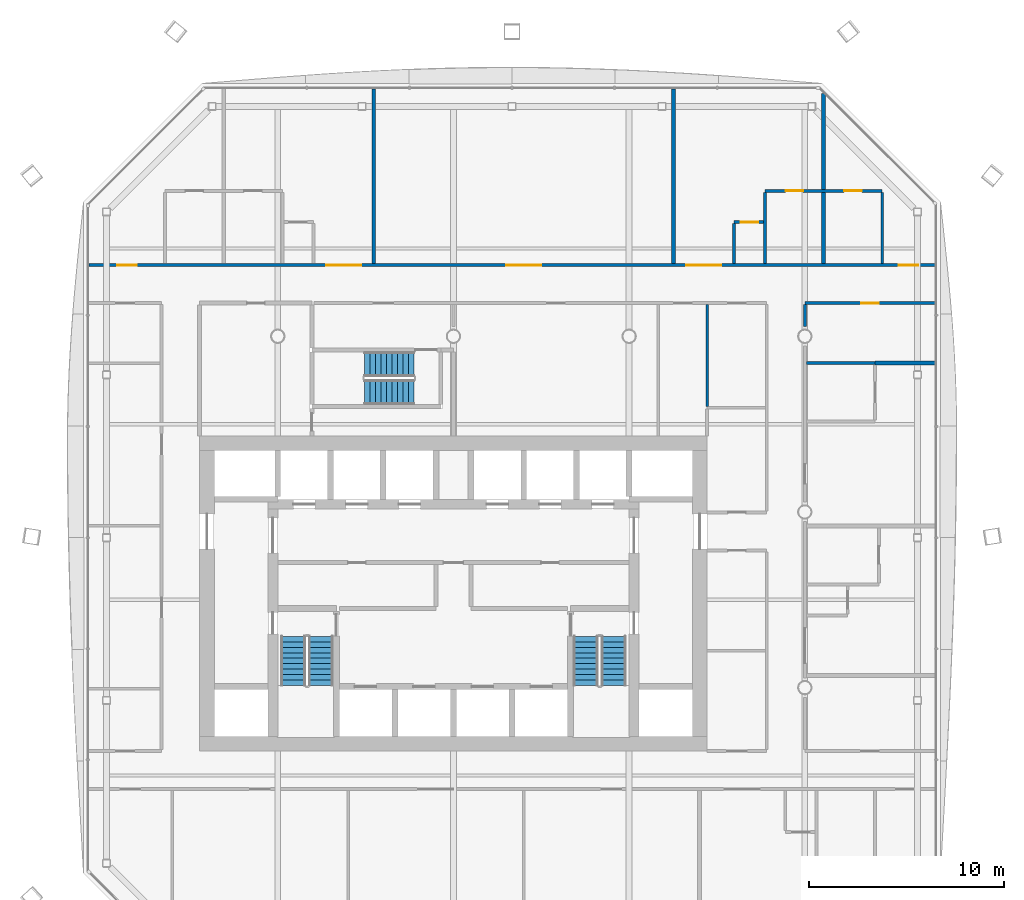
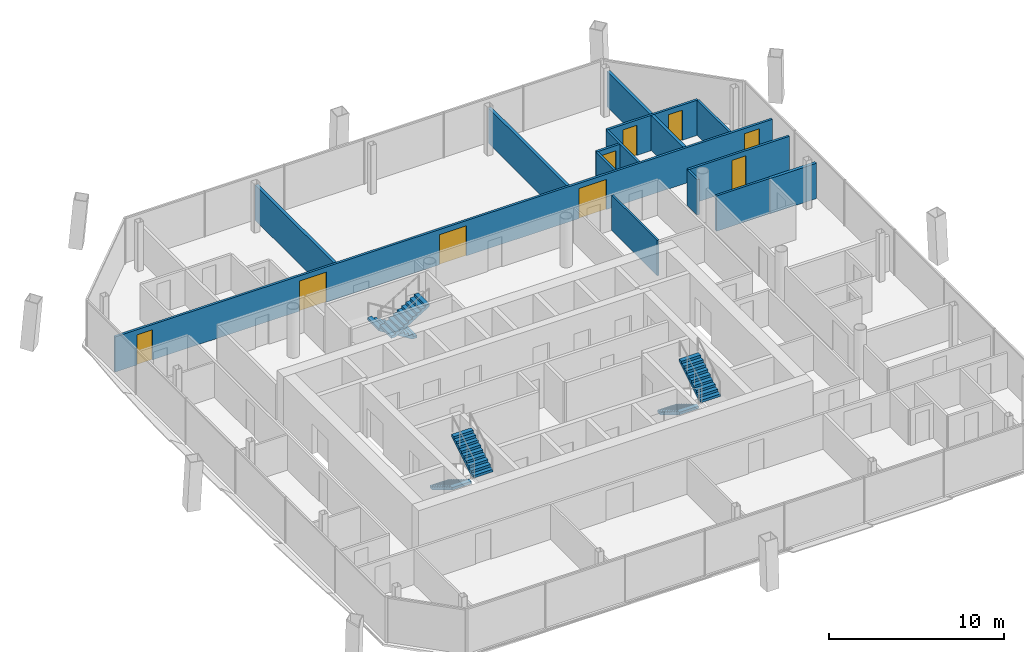
# One storey, part 15 of 18: 14 walls, 9 doors, 6 stair flights, 9 openings, 3 elements without a shape of their own.
"""IFC4 building model written with IfcOpenShell, lengths in metres."""

from ifc_helpers import new_model, si_unit, direction, frame, frame_2d, origin, place, context, subcontext, project, spatial, polyline, rectangle, outline, extrude, material, layer, layer_set, type_object, element, fill, aggregate, save


model = new_model("IFC4")

# Units and contexts
model_context = context("Model", 3, precision=1e-05, world=origin(), true_north=direction((0.0, 1.0)))
body_context = subcontext(model_context, "Body", "Model", "MODEL_VIEW")
ifc_project = project(units=[si_unit("LENGTHUNIT", "METRE"), si_unit("AREAUNIT", "SQUARE_METRE"), si_unit("VOLUMEUNIT", "CUBIC_METRE"), si_unit("PLANEANGLEUNIT", "RADIAN"), si_unit("MASSUNIT", "GRAM", prefix="KILO")], contexts=[model_context])

# Site, building, storey
site_placement = place(None, origin())
site = spatial("IfcSite", under=ifc_project, at=site_placement, CompositionType="ELEMENT")
building_placement = place(site_placement, origin())
building = spatial("IfcBuilding", under=site, at=building_placement, Name="Tskaro Facet Tower", CompositionType="ELEMENT")
storey_placement = place(building_placement, frame((0.0, 0.0, 155.5)))
storey = spatial("IfcBuildingStorey", under=building, at=storey_placement, Name="L38", CompositionType="ELEMENT", Elevation=155.5)

# Walls
ifc_material_1 = material(Name="Gypsum board on steel studs", Category="steel")
ifc_layer_1 = layer(ifc_material_1, 0.125, Name="Gypsum board on steel studs")
ifc_layer_set_1 = layer_set([ifc_layer_1], Name="Gypsum board on steel studs")
wall_type_1 = type_object("IfcWallType", Name="PART", PredefinedType="PARTITIONING", material=ifc_layer_set_1)
wall_1_placement = place(storey_placement, frame((13.0, 5.412109375, 0.0), z_axis=(0.0, 0.0, 1.0), x_axis=(0.0, 1.0, 0.0)))
element("IfcWall", 1, at=wall_1_placement, inside=storey, type_object=wall_type_1, Name="Partition W078", PredefinedType="PARTITIONING", context=body_context, shape_type="SweptSolid", body=[
    extrude(rectangle(XDim=5.212890625, YDim=0.125, at=frame_2d((2.6064453125, 0.0))), origin(), (0.0, 0.0, 1.0), 2.4599609375),
])
ifc_layer_2 = layer(ifc_material_1, 0.14990234375, Name="Gypsum board on steel studs")
ifc_layer_set_2 = layer_set([ifc_layer_2], Name="Gypsum board on steel studs")
wall_type_2 = type_object("IfcWallType", Name="PART-CORR", PredefinedType="PARTITIONING", material=ifc_layer_set_2)
wall_2_placement = place(storey_placement, frame((18.074951171875, 7.6259765625, 0.0), z_axis=(0.0, 0.0, 1.0), x_axis=(1.0, 0.0, 0.0)))
element("IfcWall", 2, at=wall_2_placement, inside=storey, type_object=wall_type_2, Name="Corridor wall W030", PredefinedType="PARTITIONING", context=body_context, shape_type="SweptSolid", body=[
    extrude(rectangle(XDim=3.525146484375, YDim=0.14990234375, at=frame_2d((1.7626953125, 0.0))), origin(), (0.0, 0.0, 1.0), 2.4599609375),
])

# Wall, opening, door
wall_3_placement = place(storey_placement, frame((24.674072265625, 10.699951171875, 0.0), z_axis=(0.0, 0.0, 1.0), x_axis=(-1.0, 0.0, 0.0)))
wall_3 = element("IfcWall", 3, at=wall_3_placement, inside=storey, type_object=wall_type_2, Name="Corridor wall W037", PredefinedType="PARTITIONING", context=body_context, shape_type="SweptSolid", body=[
    extrude(rectangle(XDim=6.674072265625, YDim=0.14990234375, at=frame_2d((3.3369140625, 0.0))), origin(), (0.0, 0.0, 1.0), 2.4599609375),
])
opening_1_placement = place(wall_3_placement, frame((2.886962890625, 0.0, 0.0)))
opening_1 = element("IfcOpeningElement", 4, at=opening_1_placement, cuts=wall_3, Name="Opening T11-D38", PredefinedType="OPENING", context=body_context, shape_type="SweptSolid", body=[
    extrude(rectangle(XDim=0.89990234375, YDim=2.10009765625, at=frame_2d((0.449951171875, 1.050048828125))), frame((0.0, 0.0849609375, 0.0), z_axis=(0.0, -1.0, 0.0), x_axis=(1.0, 0.0, 0.0)), (0.0, 0.0, 1.0), 0.169921875),
])
ifc_material_2 = material(Name="Timber", Category="wood")
door_type_1 = type_object("IfcDoorType", Name="D-ROOM", OperationType="NOTDEFINED", PredefinedType="DOOR", material=ifc_material_2)
door_1_placement = place(opening_1_placement, origin())
door_1 = element("IfcDoor", 5, at=door_1_placement, inside=storey, type_object=door_type_1, Name="Door T11-D38", OperationType="SINGLE_SWING_RIGHT", OverallHeight=2.10009765625, OverallWidth=0.89990234375, PredefinedType="DOOR", context=body_context, shape_type="SweptSolid", body=[
    extrude(rectangle(XDim=0.89990234375, YDim=2.10009765625, at=frame_2d((0.449951171875, 1.050048828125))), frame((0.0, 0.02490234375, 0.0), z_axis=(0.0, -1.0, 0.0), x_axis=(1.0, 0.0, 0.0)), (0.0, 0.0, 1.0), 0.050048828125),
])
fill(opening_1, door_1)

# Wall, openings, doors
wall_4_placement = place(storey_placement, frame((-18.674072265625, 12.64990234375, 0.0), z_axis=(0.0, 0.0, 1.0), x_axis=(1.0, 0.0, 0.0)))
wall_4 = element("IfcWall", 6, at=wall_4_placement, inside=storey, type_object=wall_type_2, Name="Corridor wall W038", PredefinedType="PARTITIONING", context=body_context, shape_type="SweptSolid", body=[
    extrude(rectangle(XDim=43.34814453125, YDim=0.14990234375, at=frame_2d((21.674072265625, 0.0))), origin(), (0.0, 0.0, 1.0), 2.4599609375),
])
opening_2_placement = place(wall_4_placement, frame((1.452880859375, 0.0, 0.0)))
opening_2 = element("IfcOpeningElement", 7, at=opening_2_placement, cuts=wall_4, Name="Opening T11-D39", PredefinedType="OPENING", context=body_context, shape_type="SweptSolid", body=[
    extrude(rectangle(XDim=1.0, YDim=2.10009765625, at=frame_2d((0.5, 1.050048828125))), frame((0.0, 0.0849609375, 0.0), z_axis=(0.0, -1.0, 0.0), x_axis=(1.0, 0.0, 0.0)), (0.0, 0.0, 1.0), 0.169921875),
])
opening_3_placement = place(wall_4_placement, frame((12.14794921875, 0.0, 0.0)))
opening_3 = element("IfcOpeningElement", 8, at=opening_3_placement, cuts=wall_4, Name="Opening T11-D40", PredefinedType="OPENING", context=body_context, shape_type="SweptSolid", body=[
    extrude(rectangle(XDim=1.800048828125, YDim=2.10009765625, at=frame_2d((0.89990234375, 1.050048828125))), frame((0.0, 0.0849609375, 0.0), z_axis=(0.0, -1.0, 0.0), x_axis=(1.0, 0.0, 0.0)), (0.0, 0.0, 1.0), 0.169921875),
])
opening_4_placement = place(wall_4_placement, frame((21.3740234375, 0.0, 0.0)))
opening_4 = element("IfcOpeningElement", 9, at=opening_4_placement, cuts=wall_4, Name="Opening T11-D41", PredefinedType="OPENING", context=body_context, shape_type="SweptSolid", body=[
    extrude(rectangle(XDim=1.800048828125, YDim=2.10009765625, at=frame_2d((0.89990234375, 1.050048828125))), frame((0.0, 0.0849609375, 0.0), z_axis=(0.0, -1.0, 0.0), x_axis=(1.0, 0.0, 0.0)), (0.0, 0.0, 1.0), 0.169921875),
])
opening_5_placement = place(wall_4_placement, frame((30.60009765625, 0.0, 0.0)))
opening_5 = element("IfcOpeningElement", 10, at=opening_5_placement, cuts=wall_4, Name="Opening T11-D42", PredefinedType="OPENING", context=body_context, shape_type="SweptSolid", body=[
    extrude(rectangle(XDim=1.800048828125, YDim=2.10009765625, at=frame_2d((0.89990234375, 1.050048828125))), frame((0.0, 0.0849609375, 0.0), z_axis=(0.0, -1.0, 0.0), x_axis=(1.0, 0.0, 0.0)), (0.0, 0.0, 1.0), 0.169921875),
])
opening_6_placement = place(wall_4_placement, frame((41.4951171875, 0.0, 0.0)))
opening_6 = element("IfcOpeningElement", 11, at=opening_6_placement, cuts=wall_4, Name="Opening T11-D43", PredefinedType="OPENING", context=body_context, shape_type="SweptSolid", body=[
    extrude(rectangle(XDim=1.0, YDim=2.10009765625, at=frame_2d((0.5, 1.050048828125))), frame((0.0, 0.0849609375, 0.0), z_axis=(0.0, -1.0, 0.0), x_axis=(1.0, 0.0, 0.0)), (0.0, 0.0, 1.0), 0.169921875),
])
door_type_2 = type_object("IfcDoorType", Name="D-ENTRY", OperationType="NOTDEFINED", PredefinedType="DOOR", material=ifc_material_2)
door_2_placement = place(opening_2_placement, origin())
door_2 = element("IfcDoor", 12, at=door_2_placement, inside=storey, type_object=door_type_2, Name="Door T11-D39", OperationType="SINGLE_SWING_RIGHT", OverallHeight=2.10009765625, OverallWidth=1.0, PredefinedType="DOOR", context=body_context, shape_type="SweptSolid", body=[
    extrude(rectangle(XDim=1.0, YDim=2.10009765625, at=frame_2d((0.5, 1.050048828125))), frame((0.0, 0.02490234375, 0.0), z_axis=(0.0, -1.0, 0.0), x_axis=(1.0, 0.0, 0.0)), (0.0, 0.0, 1.0), 0.050048828125),
])
fill(opening_2, door_2)
door_3_placement = place(opening_6_placement, origin())
door_3 = element("IfcDoor", 13, at=door_3_placement, inside=storey, type_object=door_type_2, Name="Door T11-D43", OperationType="SINGLE_SWING_RIGHT", OverallHeight=2.10009765625, OverallWidth=1.0, PredefinedType="DOOR", context=body_context, shape_type="SweptSolid", body=[
    extrude(rectangle(XDim=1.0, YDim=2.10009765625, at=frame_2d((0.5, 1.050048828125))), frame((0.0, 0.02490234375, 0.0), z_axis=(0.0, -1.0, 0.0), x_axis=(1.0, 0.0, 0.0)), (0.0, 0.0, 1.0), 0.050048828125),
])
fill(opening_6, door_3)
ifc_material_3 = material(Name="Glass", Category="glass")
door_type_3 = type_object("IfcDoorType", Name="D-ENTRY-PAIR", OperationType="NOTDEFINED", PredefinedType="DOOR", material=ifc_material_3)
door_4_placement = place(opening_4_placement, origin())
door_4 = element("IfcDoor", 14, at=door_4_placement, inside=storey, type_object=door_type_3, Name="Door T11-D41", OperationType="DOUBLE_DOOR_SINGLE_SWING", OverallHeight=2.10009765625, OverallWidth=1.800048828125, PredefinedType="DOOR", context=body_context, shape_type="SweptSolid", body=[
    extrude(rectangle(XDim=1.800048828125, YDim=2.10009765625, at=frame_2d((0.89990234375, 1.050048828125))), frame((0.0, 0.02490234375, 0.0), z_axis=(0.0, -1.0, 0.0), x_axis=(1.0, 0.0, 0.0)), (0.0, 0.0, 1.0), 0.050048828125),
])
fill(opening_4, door_4)
door_type_4 = type_object("IfcDoorType", Name="D-SUITE-PAIR", OperationType="NOTDEFINED", PredefinedType="DOOR", material=ifc_material_2)
door_5_placement = place(opening_3_placement, origin())
door_5 = element("IfcDoor", 15, at=door_5_placement, inside=storey, type_object=door_type_4, Name="Door T11-D40", OperationType="DOUBLE_DOOR_SINGLE_SWING", OverallHeight=2.10009765625, OverallWidth=1.800048828125, PredefinedType="DOOR", context=body_context, shape_type="SweptSolid", body=[
    extrude(rectangle(XDim=1.800048828125, YDim=2.10009765625, at=frame_2d((0.89990234375, 1.050048828125))), frame((0.0, 0.02490234375, 0.0), z_axis=(0.0, -1.0, 0.0), x_axis=(1.0, 0.0, 0.0)), (0.0, 0.0, 1.0), 0.050048828125),
])
fill(opening_3, door_5)
door_6_placement = place(opening_5_placement, origin())
door_6 = element("IfcDoor", 16, at=door_6_placement, inside=storey, type_object=door_type_4, Name="Door T11-D42", OperationType="DOUBLE_DOOR_SINGLE_SWING", OverallHeight=2.10009765625, OverallWidth=1.800048828125, PredefinedType="DOOR", context=body_context, shape_type="SweptSolid", body=[
    extrude(rectangle(XDim=1.800048828125, YDim=2.10009765625, at=frame_2d((0.89990234375, 1.050048828125))), frame((0.0, 0.02490234375, 0.0), z_axis=(0.0, -1.0, 0.0), x_axis=(1.0, 0.0, 0.0)), (0.0, 0.0, 1.0), 0.050048828125),
])
fill(opening_5, door_6)

# Wall, opening, door
wall_5_placement = place(storey_placement, frame((15.89306640625, 14.85009765625, 0.0), z_axis=(0.0, 0.0, 1.0), x_axis=(-1.0, 0.0, 0.0)))
wall_5 = element("IfcWall", 17, at=wall_5_placement, inside=storey, type_object=wall_type_2, Name="Corridor wall W040", PredefinedType="PARTITIONING", context=body_context, shape_type="SweptSolid", body=[
    extrude(rectangle(XDim=1.525146484375, YDim=0.14990234375, at=frame_2d((0.7626953125, 0.0))), origin(), (0.0, 0.0, 1.0), 2.4599609375),
])
opening_7_placement = place(wall_5_placement, frame((0.27490234375, 0.0, 0.0)))
opening_7 = element("IfcOpeningElement", 18, at=opening_7_placement, cuts=wall_5, Name="Opening T11-D45", PredefinedType="OPENING", context=body_context, shape_type="SweptSolid", body=[
    extrude(rectangle(XDim=0.89990234375, YDim=2.10009765625, at=frame_2d((0.449951171875, 1.050048828125))), frame((0.0, 0.0849609375, 0.0), z_axis=(0.0, -1.0, 0.0), x_axis=(1.0, 0.0, 0.0)), (0.0, 0.0, 1.0), 0.169921875),
])
door_7_placement = place(opening_7_placement, origin())
door_7 = element("IfcDoor", 19, at=door_7_placement, inside=storey, type_object=door_type_1, Name="Door T11-D45", OperationType="SINGLE_SWING_RIGHT", OverallHeight=2.10009765625, OverallWidth=0.89990234375, PredefinedType="DOOR", context=body_context, shape_type="SweptSolid", body=[
    extrude(rectangle(XDim=0.89990234375, YDim=2.10009765625, at=frame_2d((0.449951171875, 1.050048828125))), frame((0.0, 0.02490234375, 0.0), z_axis=(0.0, -1.0, 0.0), x_axis=(1.0, 0.0, 0.0)), (0.0, 0.0, 1.0), 0.050048828125),
])
fill(opening_7, door_7)

# Wall, openings, doors
wall_6_placement = place(storey_placement, frame((21.968017578125, 16.449951171875, 0.0), z_axis=(0.0, 0.0, 1.0), x_axis=(-1.0, 0.0, 0.0)))
wall_6 = element("IfcWall", 20, at=wall_6_placement, inside=storey, type_object=wall_type_2, Name="Corridor wall W042", PredefinedType="PARTITIONING", context=body_context, shape_type="SweptSolid", body=[
    extrude(rectangle(XDim=6.0, YDim=0.14990234375, at=frame_2d((3.0, 0.0))), origin(), (0.0, 0.0, 1.0), 2.4599609375),
])
opening_8_placement = place(wall_6_placement, frame((4.050048828125, 0.0, 0.0)))
opening_8 = element("IfcOpeningElement", 21, at=opening_8_placement, cuts=wall_6, Name="Opening T11-D48", PredefinedType="OPENING", context=body_context, shape_type="SweptSolid", body=[
    extrude(rectangle(XDim=0.89990234375, YDim=2.10009765625, at=frame_2d((0.449951171875, 1.050048828125))), frame((0.0, 0.0849609375, 0.0), z_axis=(0.0, -1.0, 0.0), x_axis=(1.0, 0.0, 0.0)), (0.0, 0.0, 1.0), 0.169921875),
])
opening_9_placement = place(wall_6_placement, frame((1.050048828125, 0.0, 0.0)))
opening_9 = element("IfcOpeningElement", 22, at=opening_9_placement, cuts=wall_6, Name="Opening T11-D49", PredefinedType="OPENING", context=body_context, shape_type="SweptSolid", body=[
    extrude(rectangle(XDim=0.89990234375, YDim=2.10009765625, at=frame_2d((0.449951171875, 1.050048828125))), frame((0.0, 0.0849609375, 0.0), z_axis=(0.0, -1.0, 0.0), x_axis=(1.0, 0.0, 0.0)), (0.0, 0.0, 1.0), 0.169921875),
])
door_8_placement = place(opening_8_placement, origin())
door_8 = element("IfcDoor", 23, at=door_8_placement, inside=storey, type_object=door_type_1, Name="Door T11-D48", OperationType="SINGLE_SWING_RIGHT", OverallHeight=2.10009765625, OverallWidth=0.89990234375, PredefinedType="DOOR", context=body_context, shape_type="SweptSolid", body=[
    extrude(rectangle(XDim=0.89990234375, YDim=2.10009765625, at=frame_2d((0.449951171875, 1.050048828125))), frame((0.0, 0.02490234375, 0.0), z_axis=(0.0, -1.0, 0.0), x_axis=(1.0, 0.0, 0.0)), (0.0, 0.0, 1.0), 0.050048828125),
])
fill(opening_8, door_8)
door_9_placement = place(opening_9_placement, origin())
door_9 = element("IfcDoor", 24, at=door_9_placement, inside=storey, type_object=door_type_1, Name="Door T11-D49", OperationType="SINGLE_SWING_RIGHT", OverallHeight=2.10009765625, OverallWidth=0.89990234375, PredefinedType="DOOR", context=body_context, shape_type="SweptSolid", body=[
    extrude(rectangle(XDim=0.89990234375, YDim=2.10009765625, at=frame_2d((0.449951171875, 1.050048828125))), frame((0.0, 0.02490234375, 0.0), z_axis=(0.0, -1.0, 0.0), x_axis=(1.0, 0.0, 0.0)), (0.0, 0.0, 1.0), 0.050048828125),
])
fill(opening_9, door_9)

# Walls
wall_7_placement = place(storey_placement, frame((14.367919921875, 12.72509765625, 0.0), z_axis=(0.0, 0.0, 1.0), x_axis=(0.0, 1.0, 0.0)))
element("IfcWall", 25, at=wall_7_placement, inside=storey, type_object=wall_type_2, Name="Corridor wall W079", PredefinedType="PARTITIONING", context=body_context, shape_type="SweptSolid", body=[
    extrude(rectangle(XDim=2.0498046875, YDim=0.14990234375, at=frame_2d((1.02490234375, 0.0))), origin(), (0.0, 0.0, 1.0), 2.4599609375),
])
wall_8_placement = place(storey_placement, frame((15.968017578125, 12.72509765625, 0.0), z_axis=(0.0, 0.0, 1.0), x_axis=(0.0, 1.0, 0.0)))
element("IfcWall", 26, at=wall_8_placement, inside=storey, type_object=wall_type_2, Name="Corridor wall W080", PredefinedType="PARTITIONING", context=body_context, shape_type="SweptSolid", body=[
    extrude(rectangle(XDim=3.64990234375, YDim=0.14990234375, at=frame_2d((1.824951171875, 0.0))), origin(), (0.0, 0.0, 1.0), 2.4599609375),
])
wall_9_placement = place(storey_placement, frame((18.0, 9.5, 0.0), z_axis=(0.0, 0.0, 1.0), x_axis=(0.0, 1.0, 0.0)))
element("IfcWall", 27, at=wall_9_placement, inside=storey, type_object=wall_type_2, Name="Corridor wall W087", PredefinedType="PARTITIONING", context=body_context, shape_type="SweptSolid", body=[
    extrude(rectangle(XDim=1.125, YDim=0.14990234375, at=frame_2d((0.5625, 0.0))), origin(), (0.0, 0.0, 1.0), 2.4599609375),
])
wall_10_placement = place(storey_placement, frame((21.968017578125, 12.72509765625, 0.0), z_axis=(0.0, 0.0, 1.0), x_axis=(0.0, 1.0, 0.0)))
element("IfcWall", 28, at=wall_10_placement, inside=storey, type_object=wall_type_2, Name="Corridor wall W095", PredefinedType="PARTITIONING", context=body_context, shape_type="SweptSolid", body=[
    extrude(rectangle(XDim=3.64990234375, YDim=0.14990234375, at=frame_2d((1.824951171875, 0.0))), origin(), (0.0, 0.0, 1.0), 2.4599609375),
])
ifc_layer_3 = layer(ifc_material_1, 0.199951171875, Name="Gypsum board on steel studs")
ifc_layer_set_3 = layer_set([ifc_layer_3], Name="Gypsum board on steel studs")
wall_type_3 = type_object("IfcWallType", Name="PART-DEMISING", PredefinedType="PARTITIONING", material=ifc_layer_set_3)
wall_11_placement = place(storey_placement, frame((21.60009765625, 7.6259765625, 0.0), z_axis=(0.0, 0.0, 1.0), x_axis=(1.0, 0.0, 0.0)))
element("IfcWall", 29, at=wall_11_placement, inside=storey, type_object=wall_type_3, Name="Guest room wall W031", PredefinedType="PARTITIONING", context=body_context, shape_type="SweptSolid", body=[
    extrude(rectangle(XDim=3.073974609375, YDim=0.199951171875, at=frame_2d((1.537109375, 0.0))), origin(), (0.0, 0.0, 1.0), 2.4599609375),
])
for number, where, z_axis, x_axis, name in (
    (30, (-4.083984375, 12.72509765625, 0.0), (0.0, 0.0, 1.0), (0.0, 1.0, 0.0), "Guest room wall W057"),
    (31, (11.283935546875, 12.72509765625, 0.0), (0.0, 0.0, 1.0), (0.0, 1.0, 0.0), "Guest room wall W075"),
):
    element("IfcWall", number, at=place(storey_placement, frame(where, z_axis=z_axis, x_axis=x_axis)), inside=storey, type_object=wall_type_3, Name=name, PredefinedType="PARTITIONING", context=body_context, shape_type="SweptSolid", body=[
        extrude(rectangle(XDim=8.948974609375, YDim=0.199951171875, at=frame_2d((4.474609375, 0.0))), origin(), (0.0, 0.0, 1.0), 2.4599609375),
    ])
wall_12_placement = place(storey_placement, frame((18.968017578125, 12.72509765625, 0.0), z_axis=(0.0, 0.0, 1.0), x_axis=(0.0, 1.0, 0.0)))
element("IfcWall", 32, at=wall_12_placement, inside=storey, type_object=wall_type_3, Name="Guest room wall W089", PredefinedType="PARTITIONING", context=body_context, shape_type="SweptSolid", body=[
    extrude(rectangle(XDim=8.721923828125, YDim=0.199951171875, at=frame_2d((4.36083984375, 0.0))), origin(), (0.0, 0.0, 1.0), 2.4599609375),
])

# Stair, stair flights
ifc_material_4 = material(Name="Concrete C40/50", Category="concrete")
stair_type = type_object("IfcStairType", Name="ST-TWR", PredefinedType="HALF_TURN_STAIR", material=ifc_material_4)
stair_1_placement = place(storey_placement, origin())
stair_1 = element("IfcStair", 33, at=stair_1_placement, inside=storey, type_object=stair_type, Name="L38 Exit stair 1", PredefinedType="HALF_TURN_STAIR")
stair_flight_type = type_object("IfcStairFlightType", Name="SFL-RC", PredefinedType="STRAIGHT", material=ifc_material_4)
stair_flight_1_placement = place(storey_placement, frame((-8.21240234375, -6.375, 0.0), z_axis=(0.0, 0.0, 1.0), x_axis=(0.0, -1.0, 0.0)))
stair_flight_1 = element("IfcStairFlight", 34, at=stair_flight_1_placement, type_object=stair_flight_type, Name="ST-1 flight 1", NumberOfRisers=10, NumberOfTreads=9, PredefinedType="STRAIGHT", RiserHeight=0.17, TreadLength=0.28, context=body_context, shape_type="SweptSolid", body=[
    extrude(outline(polyline([(0.0, 0.0), (0.0, 0.169921875), (0.280029296875, 0.169921875), (0.280029296875, 0.340087890625), (0.56005859375, 0.340087890625), (0.56005859375, 0.510009765625), (0.840087890625, 0.510009765625), (0.840087890625, 0.679931640625), (1.1201171875, 0.679931640625), (1.1201171875, 0.85009765625), (1.39990234375, 0.85009765625), (1.39990234375, 1.02001953125), (1.679931640625, 1.02001953125), (1.679931640625, 1.18994140625), (1.9599609375, 1.18994140625), (1.9599609375, 1.360107421875), (2.239990234375, 1.360107421875), (2.239990234375, 1.530029296875), (2.52001953125, 1.530029296875), (2.52001953125, 1.699951171875), (2.52001953125, 1.354736328125), (0.288818359375, 0.0), (0.0, 0.0)])), frame((0.0, 0.637451171875, 0.0), z_axis=(0.0, -1.0, 0.0), x_axis=(1.0, 0.0, 0.0)), (0.0, 0.0, 1.0), 1.27490234375),
])
stair_flight_2_placement = place(storey_placement, frame((-6.78759765625, -8.89501953125, 1.699951171875), z_axis=(0.0, 0.0, 1.0), x_axis=(0.0, 1.0, 0.0)))
stair_flight_2 = element("IfcStairFlight", 35, at=stair_flight_2_placement, type_object=stair_flight_type, Name="ST-1 flight 2", NumberOfRisers=10, NumberOfTreads=9, PredefinedType="STRAIGHT", RiserHeight=0.17, TreadLength=0.28, context=body_context, shape_type="SweptSolid", body=[
    extrude(outline(polyline([(0.0, 0.0), (0.0, 0.169921875), (0.280029296875, 0.169921875), (0.280029296875, 0.340087890625), (0.56005859375, 0.340087890625), (0.56005859375, 0.510009765625), (0.840087890625, 0.510009765625), (0.840087890625, 0.679931640625), (1.1201171875, 0.679931640625), (1.1201171875, 0.85009765625), (1.39990234375, 0.85009765625), (1.39990234375, 1.02001953125), (1.679931640625, 1.02001953125), (1.679931640625, 1.18994140625), (1.9599609375, 1.18994140625), (1.9599609375, 1.360107421875), (2.239990234375, 1.360107421875), (2.239990234375, 1.530029296875), (2.52001953125, 1.530029296875), (2.52001953125, 1.699951171875), (2.52001953125, 1.354736328125), (0.288818359375, 0.0), (0.0, 0.0)])), frame((0.0, 0.637451171875, 0.0), z_axis=(0.0, -1.0, 0.0), x_axis=(1.0, 0.0, 0.0)), (0.0, 0.0, 1.0), 1.27490234375),
])
aggregate(stair_1, [stair_flight_1, stair_flight_2])

stair_2_placement = place(storey_placement, origin())
stair_2 = element("IfcStair", 36, at=stair_2_placement, inside=storey, type_object=stair_type, Name="L38 Exit stair 2", PredefinedType="HALF_TURN_STAIR")
stair_flight_3_placement = place(storey_placement, frame((6.78759765625, -6.375, 0.0), z_axis=(0.0, 0.0, 1.0), x_axis=(0.0, -1.0, 0.0)))
stair_flight_3 = element("IfcStairFlight", 37, at=stair_flight_3_placement, type_object=stair_flight_type, Name="ST-2 flight 1", NumberOfRisers=10, NumberOfTreads=9, PredefinedType="STRAIGHT", RiserHeight=0.17, TreadLength=0.28, context=body_context, shape_type="SweptSolid", body=[
    extrude(outline(polyline([(0.0, 0.0), (0.0, 0.169921875), (0.280029296875, 0.169921875), (0.280029296875, 0.340087890625), (0.56005859375, 0.340087890625), (0.56005859375, 0.510009765625), (0.840087890625, 0.510009765625), (0.840087890625, 0.679931640625), (1.1201171875, 0.679931640625), (1.1201171875, 0.85009765625), (1.39990234375, 0.85009765625), (1.39990234375, 1.02001953125), (1.679931640625, 1.02001953125), (1.679931640625, 1.18994140625), (1.9599609375, 1.18994140625), (1.9599609375, 1.360107421875), (2.239990234375, 1.360107421875), (2.239990234375, 1.530029296875), (2.52001953125, 1.530029296875), (2.52001953125, 1.699951171875), (2.52001953125, 1.354736328125), (0.288818359375, 0.0), (0.0, 0.0)])), frame((0.0, 0.637451171875, 0.0), z_axis=(0.0, -1.0, 0.0), x_axis=(1.0, 0.0, 0.0)), (0.0, 0.0, 1.0), 1.27490234375),
])
stair_flight_4_placement = place(storey_placement, frame((8.21240234375, -8.89501953125, 1.699951171875), z_axis=(0.0, 0.0, 1.0), x_axis=(0.0, 1.0, 0.0)))
stair_flight_4 = element("IfcStairFlight", 38, at=stair_flight_4_placement, type_object=stair_flight_type, Name="ST-2 flight 2", NumberOfRisers=10, NumberOfTreads=9, PredefinedType="STRAIGHT", RiserHeight=0.17, TreadLength=0.28, context=body_context, shape_type="SweptSolid", body=[
    extrude(outline(polyline([(0.0, 0.0), (0.0, 0.169921875), (0.280029296875, 0.169921875), (0.280029296875, 0.340087890625), (0.56005859375, 0.340087890625), (0.56005859375, 0.510009765625), (0.840087890625, 0.510009765625), (0.840087890625, 0.679931640625), (1.1201171875, 0.679931640625), (1.1201171875, 0.85009765625), (1.39990234375, 0.85009765625), (1.39990234375, 1.02001953125), (1.679931640625, 1.02001953125), (1.679931640625, 1.18994140625), (1.9599609375, 1.18994140625), (1.9599609375, 1.360107421875), (2.239990234375, 1.360107421875), (2.239990234375, 1.530029296875), (2.52001953125, 1.530029296875), (2.52001953125, 1.699951171875), (2.52001953125, 1.354736328125), (0.288818359375, 0.0), (0.0, 0.0)])), frame((0.0, 0.637451171875, 0.0), z_axis=(0.0, -1.0, 0.0), x_axis=(1.0, 0.0, 0.0)), (0.0, 0.0, 1.0), 1.27490234375),
])
aggregate(stair_2, [stair_flight_3, stair_flight_4])

stair_3_placement = place(storey_placement, origin())
stair_3 = element("IfcStair", 39, at=stair_3_placement, inside=storey, type_object=stair_type, Name="L38 Exit stair 3", PredefinedType="HALF_TURN_STAIR")
stair_flight_5_placement = place(storey_placement, frame((-2.02490234375, 7.5625, 0.0), z_axis=(0.0, 0.0, 1.0), x_axis=(-1.0, 0.0, 0.0)))
stair_flight_5 = element("IfcStairFlight", 40, at=stair_flight_5_placement, type_object=stair_flight_type, Name="ST-3 flight 1", NumberOfRisers=10, NumberOfTreads=9, PredefinedType="STRAIGHT", RiserHeight=0.17, TreadLength=0.28, context=body_context, shape_type="SweptSolid", body=[
    extrude(outline(polyline([(0.0, 0.0), (0.0, 0.169921875), (0.280029296875, 0.169921875), (0.280029296875, 0.340087890625), (0.56005859375, 0.340087890625), (0.56005859375, 0.510009765625), (0.840087890625, 0.510009765625), (0.840087890625, 0.679931640625), (1.1201171875, 0.679931640625), (1.1201171875, 0.85009765625), (1.39990234375, 0.85009765625), (1.39990234375, 1.02001953125), (1.679931640625, 1.02001953125), (1.679931640625, 1.18994140625), (1.9599609375, 1.18994140625), (1.9599609375, 1.360107421875), (2.239990234375, 1.360107421875), (2.239990234375, 1.530029296875), (2.52001953125, 1.530029296875), (2.52001953125, 1.699951171875), (2.52001953125, 1.354736328125), (0.288818359375, 0.0), (0.0, 0.0)])), frame((0.0, 0.637451171875, 0.0), z_axis=(0.0, -1.0, 0.0), x_axis=(1.0, 0.0, 0.0)), (0.0, 0.0, 1.0), 1.27490234375),
])
stair_flight_6_placement = place(storey_placement, frame((-4.544921875, 6.137451171875, 1.699951171875), z_axis=(0.0, 0.0, 1.0), x_axis=(1.0, 0.0, 0.0)))
stair_flight_6 = element("IfcStairFlight", 41, at=stair_flight_6_placement, type_object=stair_flight_type, Name="ST-3 flight 2", NumberOfRisers=10, NumberOfTreads=9, PredefinedType="STRAIGHT", RiserHeight=0.17, TreadLength=0.28, context=body_context, shape_type="SweptSolid", body=[
    extrude(outline(polyline([(0.0, 0.0), (0.0, 0.169921875), (0.280029296875, 0.169921875), (0.280029296875, 0.340087890625), (0.56005859375, 0.340087890625), (0.56005859375, 0.510009765625), (0.840087890625, 0.510009765625), (0.840087890625, 0.679931640625), (1.1201171875, 0.679931640625), (1.1201171875, 0.85009765625), (1.39990234375, 0.85009765625), (1.39990234375, 1.02001953125), (1.679931640625, 1.02001953125), (1.679931640625, 1.18994140625), (1.9599609375, 1.18994140625), (1.9599609375, 1.360107421875), (2.239990234375, 1.360107421875), (2.239990234375, 1.530029296875), (2.52001953125, 1.530029296875), (2.52001953125, 1.699951171875), (2.52001953125, 1.354736328125), (0.288818359375, 0.0), (0.0, 0.0)])), frame((0.0, 0.637451171875, 0.0), z_axis=(0.0, -1.0, 0.0), x_axis=(1.0, 0.0, 0.0)), (0.0, 0.0, 1.0), 1.27490234375),
])
aggregate(stair_3, [stair_flight_5, stair_flight_6])

save(model, "model.ifc")
